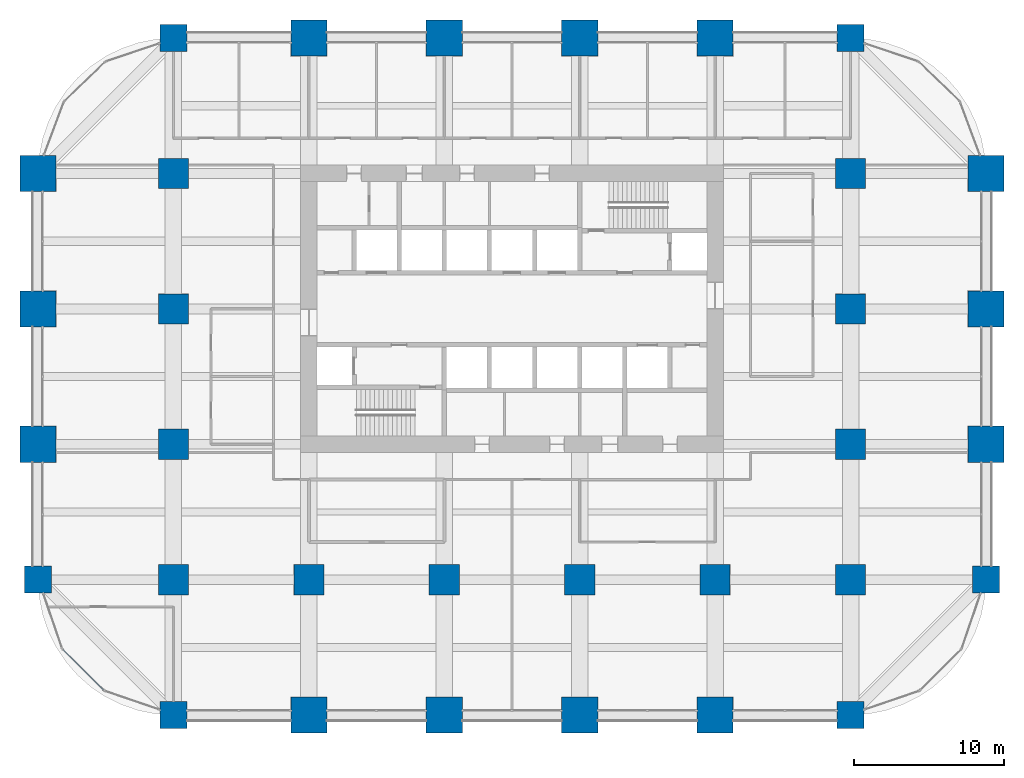
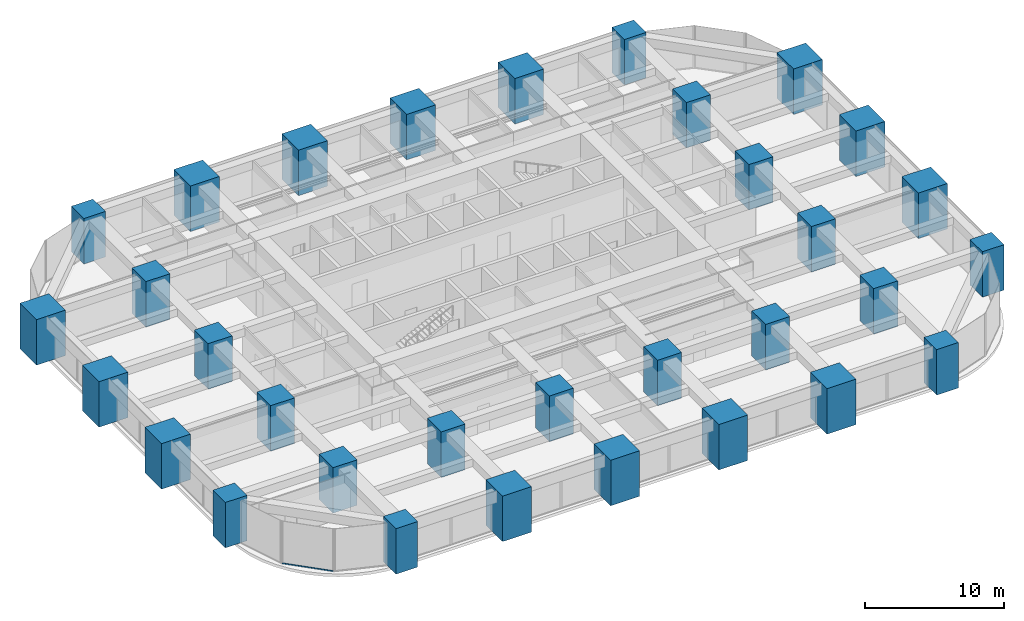
# One storey, part 1 of 40: 32 columns, 1 member, 1 element without a shape of its own.
"""IFC4 building model written with IfcOpenShell, lengths in metres."""

from ifc_helpers import new_model, si_unit, direction, frame, origin, origin_2d, place, context, subcontext, project, spatial, rectangle, hollow_rectangle, extrude, material, material_profile, profile_set, type_object, element, aggregate, save


model = new_model("IFC4")

# Units and contexts
model_context = context("Model", 3, precision=1e-05, world=origin(), true_north=direction((0.0, 1.0)))
body_context = subcontext(model_context, "Body", "Model", "MODEL_VIEW")
ifc_project = project(units=[si_unit("LENGTHUNIT", "METRE"), si_unit("AREAUNIT", "SQUARE_METRE"), si_unit("VOLUMEUNIT", "CUBIC_METRE"), si_unit("PLANEANGLEUNIT", "RADIAN"), si_unit("MASSUNIT", "GRAM", prefix="KILO")], contexts=[model_context])

# Site, building, storey
site_placement = place(None, origin())
site = spatial("IfcSite", under=ifc_project, at=site_placement, CompositionType="ELEMENT")
building_placement = place(site_placement, origin())
building = spatial("IfcBuilding", under=site, at=building_placement, Name="Zorevar Civic Tower", CompositionType="ELEMENT")
storey_placement = place(building_placement, frame((0.0, 0.0, 93.0)))
storey = spatial("IfcBuildingStorey", under=building, at=storey_placement, Name="L22", CompositionType="ELEMENT", Elevation=93.0)

# Columns
ifc_material_1 = material(Name="Concrete C50/60", Category="concrete")
ifc_material_profile_1 = material_profile(ifc_material_1, rectangle(XDim=1.800048828125, YDim=1.800048828125, at=origin_2d()), Name="RC 1800x1800")
ifc_profile_set_1 = profile_set([ifc_material_profile_1], Name="Concrete C50/60")
column_type_1 = type_object("IfcColumnType", Name="Column RC 1800x1800", PredefinedType="COLUMN", material=ifc_profile_set_1)
for number, where, z_axis, x_axis, name in (
    (1, (0.0, 9.0, 0.0), (0.0, 0.0, 1.0), (1.0, 0.0, 0.0), "Column 2B L22"),
    (2, (9.0, 0.0, 0.0), (0.0, 0.0, 1.0), (1.0, 0.0, 0.0), "Column 3A L22"),
    (3, (9.0, 45.0, 0.0), (0.0, 0.0, 1.0), (1.0, 0.0, 0.0), "Column 3F L22"),
    (4, (54.0, 0.0, 0.0), (0.0, 0.0, 1.0), (1.0, 0.0, 0.0), "Column 8A L22"),
    (5, (54.0, 45.0, 0.0), (0.0, 0.0, 1.0), (1.0, 0.0, 0.0), "Column 8F L22"),
    (6, (63.0, 9.0, 0.0), (0.0, 0.0, 1.0), (1.0, 0.0, 0.0), "Column 9B L22"),
):
    element("IfcColumn", number, at=place(storey_placement, frame(where, z_axis=z_axis, x_axis=x_axis)), inside=storey, type_object=column_type_1, Name=name, PredefinedType="COLUMN", context=body_context, shape_type="SweptSolid", body=[
        extrude(rectangle(XDim=1.800048828125, YDim=1.800048828125, at=origin_2d()), origin(), (0.0, 0.0, 1.0), 4.0),
    ])
ifc_material_2 = material(Name="Concrete C50/60", Category="concrete")
ifc_material_profile_2 = material_profile(ifc_material_2, rectangle(XDim=2.0, YDim=2.0, at=origin_2d()), Name="RC 2000x2000")
ifc_profile_set_2 = profile_set([ifc_material_profile_2], Name="Concrete C50/60")
column_type_2 = type_object("IfcColumnType", Name="Column RC 2000x2000", PredefinedType="COLUMN", material=ifc_profile_set_2)
for number, where, z_axis, x_axis, name in (
    (7, (9.0, 9.0, 0.0), (0.0, 0.0, 1.0), (1.0, 0.0, 0.0), "Column 3B L22"),
    (8, (9.0, 18.0, 0.0), (0.0, 0.0, 1.0), (1.0, 0.0, 0.0), "Column 3C L22"),
    (9, (9.0, 27.0, 0.0), (0.0, 0.0, 1.0), (1.0, 0.0, 0.0), "Column 3D L22"),
    (10, (9.0, 36.0, 0.0), (0.0, 0.0, 1.0), (1.0, 0.0, 0.0), "Column 3E L22"),
    (11, (18.0, 9.0, 0.0), (0.0, 0.0, 1.0), (1.0, 0.0, 0.0), "Column 4B L22"),
    (12, (27.0, 9.0, 0.0), (0.0, 0.0, 1.0), (1.0, 0.0, 0.0), "Column 5B L22"),
    (13, (36.0, 9.0, 0.0), (0.0, 0.0, 1.0), (1.0, 0.0, 0.0), "Column 6B L22"),
    (14, (45.0, 9.0, 0.0), (0.0, 0.0, 1.0), (1.0, 0.0, 0.0), "Column 7B L22"),
    (15, (54.0, 9.0, 0.0), (0.0, 0.0, 1.0), (1.0, 0.0, 0.0), "Column 8B L22"),
    (16, (54.0, 18.0, 0.0), (0.0, 0.0, 1.0), (1.0, 0.0, 0.0), "Column 8C L22"),
    (17, (54.0, 27.0, 0.0), (0.0, 0.0, 1.0), (1.0, 0.0, 0.0), "Column 8D L22"),
    (18, (54.0, 36.0, 0.0), (0.0, 0.0, 1.0), (1.0, 0.0, 0.0), "Column 8E L22"),
):
    element("IfcColumn", number, at=place(storey_placement, frame(where, z_axis=z_axis, x_axis=x_axis)), inside=storey, type_object=column_type_2, Name=name, PredefinedType="COLUMN", context=body_context, shape_type="SweptSolid", body=[
        extrude(rectangle(XDim=2.0, YDim=2.0, at=origin_2d()), origin(), (0.0, 0.0, 1.0), 4.0),
    ])
ifc_material_3 = material(Name="Concrete C50/60", Category="concrete")
ifc_material_profile_3 = material_profile(ifc_material_3, rectangle(XDim=2.39990234375, YDim=2.39990234375, at=origin_2d()), Name="RC 2400x2400")
ifc_profile_set_3 = profile_set([ifc_material_profile_3], Name="Concrete C50/60")
column_type_3 = type_object("IfcColumnType", Name="Mega column RC 2400x2400", PredefinedType="COLUMN", material=ifc_profile_set_3)
for number, where, z_axis, x_axis, name in (
    (19, (0.0, 18.0, 0.0), (0.0, 0.0, 1.0), (1.0, 0.0, 0.0), "Column 2C L22"),
    (20, (0.0, 27.0, 0.0), (0.0, 0.0, 1.0), (1.0, 0.0, 0.0), "Column 2D L22"),
    (21, (0.0, 36.0, 0.0), (0.0, 0.0, 1.0), (1.0, 0.0, 0.0), "Column 2E L22"),
    (22, (18.0, 0.0, 0.0), (0.0, 0.0, 1.0), (1.0, 0.0, 0.0), "Column 4A L22"),
    (23, (18.0, 45.0, 0.0), (0.0, 0.0, 1.0), (1.0, 0.0, 0.0), "Column 4F L22"),
    (24, (27.0, 0.0, 0.0), (0.0, 0.0, 1.0), (1.0, 0.0, 0.0), "Column 5A L22"),
    (25, (27.0, 45.0, 0.0), (0.0, 0.0, 1.0), (1.0, 0.0, 0.0), "Column 5F L22"),
    (26, (36.0, 0.0, 0.0), (0.0, 0.0, 1.0), (1.0, 0.0, 0.0), "Column 6A L22"),
    (27, (36.0, 45.0, 0.0), (0.0, 0.0, 1.0), (1.0, 0.0, 0.0), "Column 6F L22"),
    (28, (45.0, 0.0, 0.0), (0.0, 0.0, 1.0), (1.0, 0.0, 0.0), "Column 7A L22"),
    (29, (45.0, 45.0, 0.0), (0.0, 0.0, 1.0), (1.0, 0.0, 0.0), "Column 7F L22"),
    (30, (63.0, 18.0, 0.0), (0.0, 0.0, 1.0), (1.0, 0.0, 0.0), "Column 9C L22"),
    (31, (63.0, 27.0, 0.0), (0.0, 0.0, 1.0), (1.0, 0.0, 0.0), "Column 9D L22"),
    (32, (63.0, 36.0, 0.0), (0.0, 0.0, 1.0), (1.0, 0.0, 0.0), "Column 9E L22"),
):
    element("IfcColumn", number, at=place(storey_placement, frame(where, z_axis=z_axis, x_axis=x_axis)), inside=storey, type_object=column_type_3, Name=name, PredefinedType="COLUMN", context=body_context, shape_type="SweptSolid", body=[
        extrude(rectangle(XDim=2.39990234375, YDim=2.39990234375, at=origin_2d()), origin(), (0.0, 0.0, 1.0), 4.0),
    ])

# Curtain wall, member
ifc_material_4 = material(Name="Dark grey solar-control glass in black aluminium frame", Category="aluminium")
curtain_wall_type = type_object("IfcCurtainWallType", Name="Curtain wall CW3 mid zone", PredefinedType="NOTDEFINED", material=ifc_material_4)
curtain_wall_placement = place(storey_placement, origin())
curtain_wall = element("IfcCurtainWall", 33, at=curtain_wall_placement, inside=storey, type_object=curtain_wall_type, Name="CW3 L22", PredefinedType="NOTDEFINED")
ifc_material_5 = material(Name="Aluminium, black anodised", Category="aluminium")
ifc_material_profile_4 = material_profile(ifc_material_5, hollow_rectangle(XDim=0.06005859375, YDim=0.1201171875, WallThickness=0.0029296875, at=origin_2d()), Name="AL 120x60x3")
ifc_profile_set_4 = profile_set([ifc_material_profile_4], Name="Aluminium, black anodised")
member_type = type_object("IfcMemberType", Name="CW3 transom AL 120x60x3", PredefinedType="USERDEFINED", material=ifc_profile_set_4)
member_placement = place(storey_placement, frame((1.662841796875, 4.349853515625, 0.030029296875), z_axis=(0.707106781187, -0.707106781187, 0.0), x_axis=(0.707106781187, 0.707106781187, 0.0)))
member = element("IfcMember", 34, at=member_placement, type_object=member_type, Name="CW3 sill transom", ObjectType="TRANSOM", PredefinedType="USERDEFINED", context=body_context, shape_type="SweptSolid", body=[
    extrude(hollow_rectangle(XDim=0.06005859375, YDim=0.1201171875, WallThickness=0.0029296875, at=origin_2d()), origin(), (0.0, 0.0, 1.0), 3.800048828125),
])
aggregate(curtain_wall, [member])

save(model, "model.ifc")
